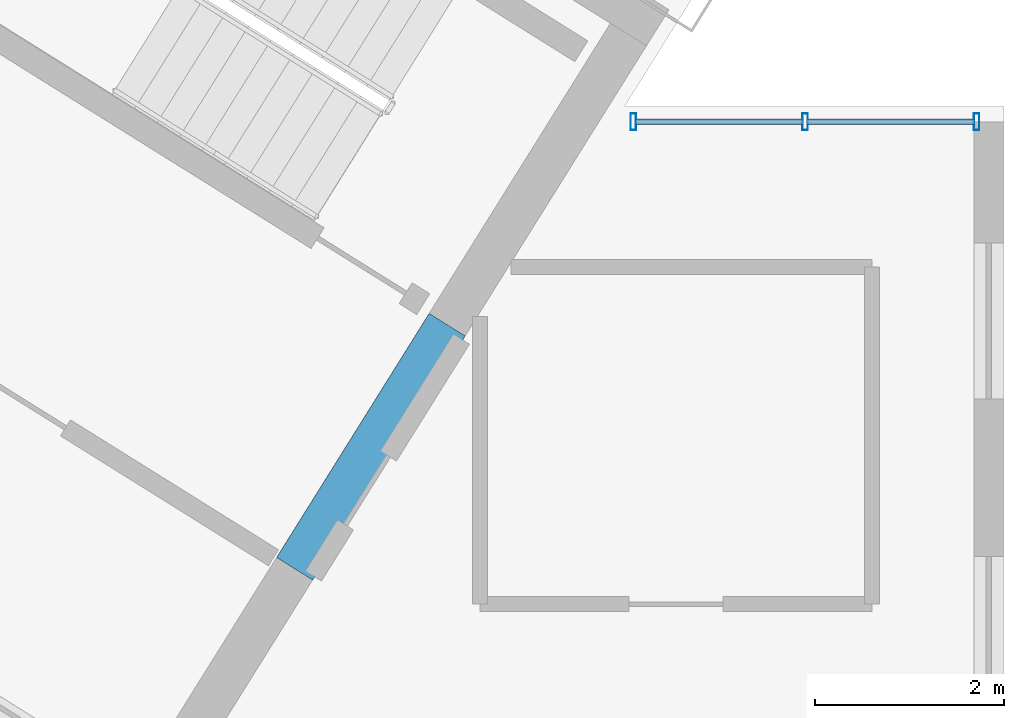
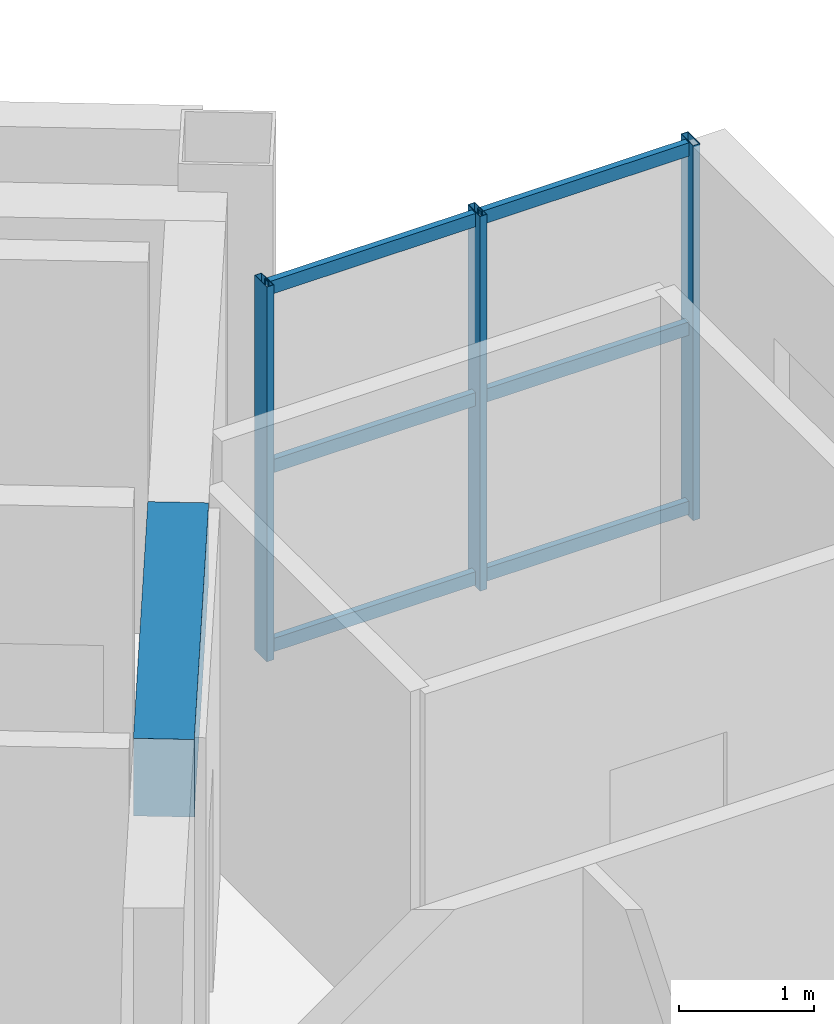
# One storey, part 6 of 14: 9 members, 1 beam, 1 element without a shape of its own.
"""IFC4 building model written with IfcOpenShell, lengths in metres."""

from ifc_helpers import new_model, si_unit, direction, frame, origin, origin_2d, place, context, subcontext, project, spatial, rectangle, hollow_rectangle, extrude, source, transform, mapped, material, material_profile, profile_set, type_object, element, aggregate, save


model = new_model("IFC4")

# Units and contexts
model_context = context("Model", 3, precision=1e-05, world=origin(), true_north=direction((0.0, 1.0)))
body_context = subcontext(model_context, "Body", "Model", "MODEL_VIEW")
ifc_project = project(units=[si_unit("LENGTHUNIT", "METRE"), si_unit("AREAUNIT", "SQUARE_METRE"), si_unit("VOLUMEUNIT", "CUBIC_METRE"), si_unit("PLANEANGLEUNIT", "RADIAN"), si_unit("MASSUNIT", "GRAM", prefix="KILO")], contexts=[model_context])

# Site, building, storey
site_placement = place(None, origin())
site = spatial("IfcSite", under=ifc_project, at=site_placement, CompositionType="ELEMENT")
building_placement = place(site_placement, origin())
building = spatial("IfcBuilding", under=site, at=building_placement, Name="Tlacorven Tower", CompositionType="ELEMENT")
storey_placement = place(building_placement, frame((0.0, 0.0, 273.60009765625)))
storey = spatial("IfcBuildingStorey", under=building, at=storey_placement, Name="L69", CompositionType="ELEMENT", Elevation=273.60009765625)

# Beam
ifc_material_1 = material(Name="Concrete C60/75", Category="concrete")
ifc_material_profile_1 = material_profile(ifc_material_1, rectangle(XDim=0.449951171875, YDim=0.699951171875, at=origin_2d()), Name="RC 450X700")
ifc_profile_set_1 = profile_set([ifc_material_profile_1], Name="Concrete C60/75")
beam_type = type_object("IfcBeamType", Name="BM-LNT-700", PredefinedType="LINTEL", material=ifc_profile_set_1)
shared_shape_1 = source(origin(), body_context, "Body", "SweptSolid", [
    extrude(rectangle(XDim=0.449951171875, YDim=0.699951171875, at=origin_2d()), origin(), (0.0, 0.0, 1.0), 3.050048828125),
])
beam_placement = place(storey_placement, frame((38.2998046875, 20.890625, 3.0), z_axis=(-0.529984549635, -0.848007297815, 0.0), x_axis=(0.848007297815, -0.529984549635, 0.0)))
element("IfcBeam", 1, at=beam_placement, inside=storey, type_object=beam_type, Name="L69 W core coupling lintel beam E1", PredefinedType="LINTEL", context=body_context, shape_type="MappedRepresentation", body=[
    mapped(shared_shape_1, transform((0.0, 0.0, 0.0), scale=1.0)),
])

# Curtain wall, members
ifc_material_2 = material(Name="Dark solar low-E double glazing in aluminium frame", Category="aluminium")
curtain_wall_type = type_object("IfcCurtainWallType", Name="CW-TWR-HIGH", PredefinedType="USERDEFINED", material=ifc_material_2)
curtain_wall_placement = place(storey_placement, origin())
curtain_wall = element("IfcCurtainWall", 2, at=curtain_wall_placement, inside=storey, type_object=curtain_wall_type, Name="L69 CW-TWR-HIGH Curtain Wall 323", ObjectType="UNITISED CURTAIN WALL", PredefinedType="USERDEFINED")
ifc_material_3 = material(Name="Aluminium 6063-T6 anodised", Category="aluminium")
ifc_material_profile_2 = material_profile(ifc_material_3, hollow_rectangle(XDim=0.06005859375, YDim=0.179931640625, WallThickness=0.00390625, at=origin_2d()), Name="ALU MULLION 60X180")
ifc_profile_set_2 = profile_set([ifc_material_profile_2], Name="Aluminium 6063-T6 anodised")
member_type_1 = type_object("IfcMemberType", Name="CWM-03", PredefinedType="MULLION", material=ifc_profile_set_2)
shared_shape_2 = source(origin(), body_context, "Body", "SweptSolid", [
    extrude(hollow_rectangle(XDim=0.06005859375, YDim=0.179931640625, WallThickness=0.00390625, at=origin_2d()), origin(), (0.0, 0.0, 1.0), 3.3798828125),
])
member_1_placement = place(storey_placement, frame((40.27392578125, 23.0400390625, -0.02001953125), z_axis=(0.0, 0.0, 1.0), x_axis=(1.0, 0.0, 0.0)))
member_1 = element("IfcMember", 3, at=member_1_placement, type_object=member_type_1, Name="CW-L69-323 Mullion 1", PredefinedType="MULLION", context=body_context, shape_type="MappedRepresentation", body=[
    mapped(shared_shape_2, transform((0.0, 0.0, 0.0), scale=1.0)),
])
member_2_placement = place(storey_placement, frame((42.092041015625, 23.0400390625, -0.02001953125), z_axis=(0.0, 0.0, 1.0), x_axis=(1.0, 0.0, 0.0)))
member_2 = element("IfcMember", 4, at=member_2_placement, type_object=member_type_1, Name="CW-L69-323 Mullion 2", PredefinedType="MULLION", context=body_context, shape_type="MappedRepresentation", body=[
    mapped(shared_shape_2, transform((0.0, 0.0, 0.0), scale=1.0)),
])
member_3_placement = place(storey_placement, frame((43.909912109375, 23.0400390625, -0.02001953125), z_axis=(0.0, 0.0, 1.0), x_axis=(1.0, 0.0, 0.0)))
member_3 = element("IfcMember", 5, at=member_3_placement, type_object=member_type_1, Name="CW-L69-323 Mullion 3", PredefinedType="MULLION", context=body_context, shape_type="MappedRepresentation", body=[
    mapped(shared_shape_2, transform((0.0, 0.0, 0.0), scale=1.0)),
])
ifc_material_profile_3 = material_profile(ifc_material_3, hollow_rectangle(XDim=0.054931640625, YDim=0.1201171875, WallThickness=0.00341796875, at=origin_2d()), Name="ALU TRANSOM 55X120")
ifc_profile_set_3 = profile_set([ifc_material_profile_3], Name="Aluminium 6063-T6 anodised")
member_type_2 = type_object("IfcMemberType", Name="CWT-03", PredefinedType="USERDEFINED", material=ifc_profile_set_3)
shared_shape_3 = source(origin(), body_context, "Body", "SweptSolid", [
    extrude(hollow_rectangle(XDim=0.054931640625, YDim=0.1201171875, WallThickness=0.00341796875, at=origin_2d()), origin(), (0.0, 0.0, 1.0), 1.781982421875),
])
member_4_placement = place(storey_placement, frame((40.2919921875, 23.0400390625, 0.059814453125), z_axis=(1.0, 0.0, 0.0), x_axis=(0.0, 1.0, 0.0)))
member_4 = element("IfcMember", 6, at=member_4_placement, type_object=member_type_2, Name="CW-L69-323 Transom 1", ObjectType="TRANSOM", PredefinedType="USERDEFINED", context=body_context, shape_type="MappedRepresentation", body=[
    mapped(shared_shape_3, transform((0.0, 0.0, 0.0), scale=1.0)),
])
member_5_placement = place(storey_placement, frame((40.2919921875, 23.0400390625, 1.6748046875), z_axis=(1.0, 0.0, 0.0), x_axis=(0.0, 1.0, 0.0)))
member_5 = element("IfcMember", 7, at=member_5_placement, type_object=member_type_2, Name="CW-L69-323 Transom 2", ObjectType="TRANSOM", PredefinedType="USERDEFINED", context=body_context, shape_type="MappedRepresentation", body=[
    mapped(shared_shape_3, transform((0.0, 0.0, 0.0), scale=1.0)),
])
member_6_placement = place(storey_placement, frame((40.2919921875, 23.0400390625, 3.289794921875), z_axis=(1.0, 0.0, 0.0), x_axis=(0.0, 1.0, 0.0)))
member_6 = element("IfcMember", 8, at=member_6_placement, type_object=member_type_2, Name="CW-L69-323 Transom 3", ObjectType="TRANSOM", PredefinedType="USERDEFINED", context=body_context, shape_type="MappedRepresentation", body=[
    mapped(shared_shape_3, transform((0.0, 0.0, 0.0), scale=1.0)),
])
shared_shape_4 = source(origin(), body_context, "Body", "SweptSolid", [
    extrude(hollow_rectangle(XDim=0.054931640625, YDim=0.1201171875, WallThickness=0.00341796875, at=origin_2d()), origin(), (0.0, 0.0, 1.0), 1.7822265625),
])
member_7_placement = place(storey_placement, frame((42.10986328125, 23.0400390625, 0.059814453125), z_axis=(1.0, 0.0, 0.0), x_axis=(0.0, 1.0, 0.0)))
member_7 = element("IfcMember", 9, at=member_7_placement, type_object=member_type_2, Name="CW-L69-323 Transom 4", ObjectType="TRANSOM", PredefinedType="USERDEFINED", context=body_context, shape_type="MappedRepresentation", body=[
    mapped(shared_shape_4, transform((0.0, 0.0, 0.0), scale=1.0)),
])
member_8_placement = place(storey_placement, frame((42.10986328125, 23.0400390625, 1.6748046875), z_axis=(1.0, 0.0, 0.0), x_axis=(0.0, 1.0, 0.0)))
member_8 = element("IfcMember", 10, at=member_8_placement, type_object=member_type_2, Name="CW-L69-323 Transom 5", ObjectType="TRANSOM", PredefinedType="USERDEFINED", context=body_context, shape_type="MappedRepresentation", body=[
    mapped(shared_shape_4, transform((0.0, 0.0, 0.0), scale=1.0)),
])
member_9_placement = place(storey_placement, frame((42.10986328125, 23.0400390625, 3.289794921875), z_axis=(1.0, 0.0, 0.0), x_axis=(0.0, 1.0, 0.0)))
member_9 = element("IfcMember", 11, at=member_9_placement, type_object=member_type_2, Name="CW-L69-323 Transom 6", ObjectType="TRANSOM", PredefinedType="USERDEFINED", context=body_context, shape_type="MappedRepresentation", body=[
    mapped(shared_shape_4, transform((0.0, 0.0, 0.0), scale=1.0)),
])
aggregate(curtain_wall, [member_1, member_2, member_3, member_4, member_5, member_6, member_7, member_8, member_9])

save(model, "model.ifc")
